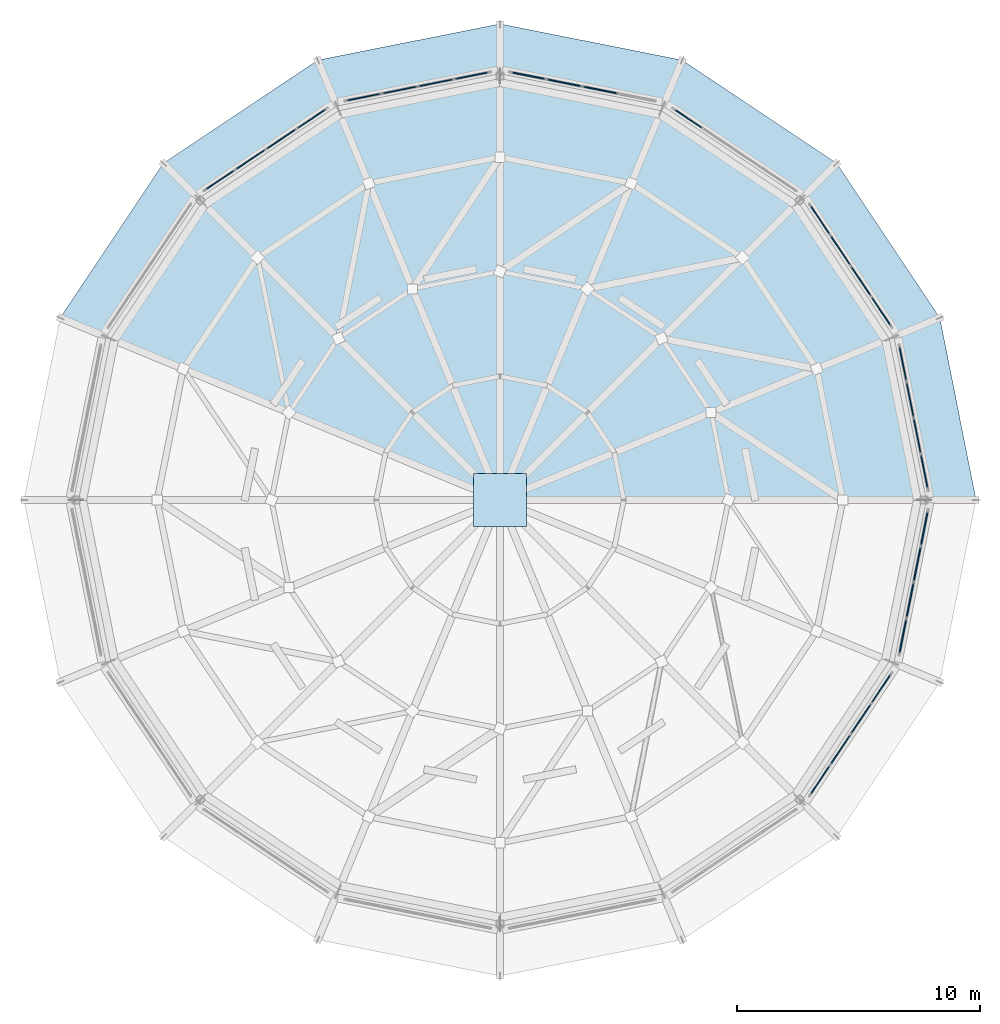
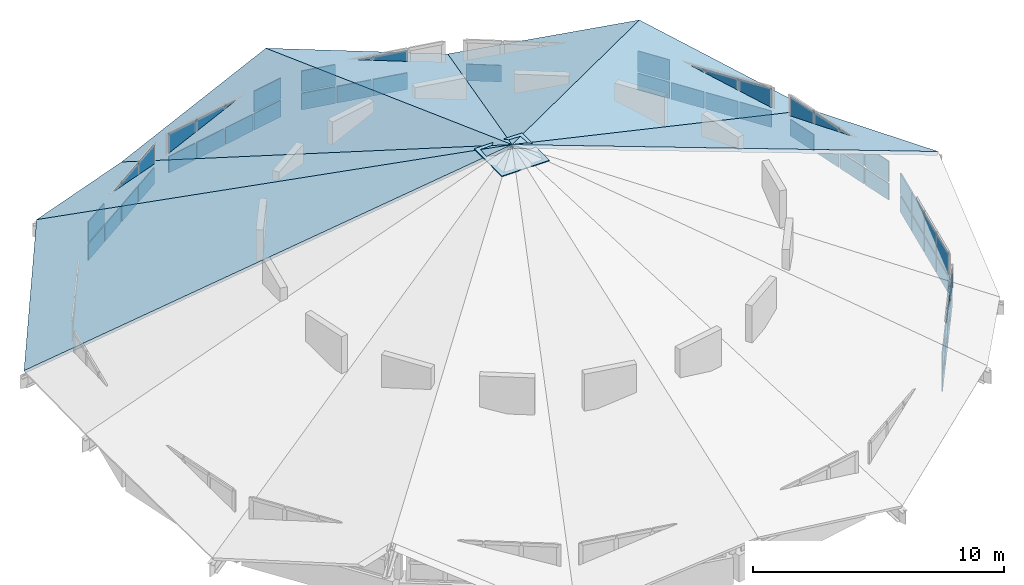
# One storey, part 10 of 18: 56 plates, 7 slabs, 8 elements without a shape of their own.
"""IFC4 building model written with IfcOpenShell, lengths in metres."""

from ifc_helpers import new_model, si_unit, direction, frame, origin, origin_2d, place, context, subcontext, project, spatial, polyline, rectangle, outline, extrude, material, layer, layer_set, type_object, element, aggregate, save


model = new_model("IFC4")

# Units and contexts
model_context = context("Model", 3, precision=1e-05, world=origin(), true_north=direction((0.0, 1.0)))
body_context = subcontext(model_context, "Body", "Model", "MODEL_VIEW")
ifc_project = project(units=[si_unit("LENGTHUNIT", "METRE"), si_unit("AREAUNIT", "SQUARE_METRE"), si_unit("VOLUMEUNIT", "CUBIC_METRE"), si_unit("PLANEANGLEUNIT", "RADIAN"), si_unit("MASSUNIT", "GRAM", prefix="KILO")], contexts=[model_context])

# Site, building, storey
site_placement = place(None, origin())
site = spatial("IfcSite", under=ifc_project, at=site_placement, CompositionType="ELEMENT")
building_placement = place(site_placement, origin())
building = spatial("IfcBuilding", under=site, at=building_placement, Name="Soyqirgoq Riverine Aquarium", CompositionType="ELEMENT")
storey_placement = place(building_placement, frame((0.0, 0.0, 29.39990234375)))
storey = spatial("IfcBuildingStorey", under=building, at=storey_placement, Name="RF", CompositionType="ELEMENT", Elevation=29.39990234375)

# Curtain wall, plates
ifc_material_1 = material(Name="Anodised aluminium acoustic solar-control clerestory glazing", Category="aluminium")
curtain_wall_type = type_object("IfcCurtainWallType", Name="CW_Clerestory_Ring", PredefinedType="NOTDEFINED", material=ifc_material_1)
curtain_wall_1_placement = place(storey_placement, origin())
curtain_wall_1 = element("IfcCurtainWall", 1, at=curtain_wall_1_placement, inside=storey, type_object=curtain_wall_type, Name="V1 RF Curtain Wall 007", PredefinedType="NOTDEFINED")
ifc_material_2 = material(Name="Triple insulated laminated low-E glass", Category="glass")
ifc_layer_1 = layer(ifc_material_2, 0.0458984375)
ifc_layer_set_1 = layer_set([ifc_layer_1], Name="Triple insulated laminated low-E glass")
plate_type_1 = type_object("IfcPlateType", Name="CWGlazedPanel_46", PredefinedType="CURTAIN_PANEL", material=ifc_layer_set_1)
plate_1_placement = place(storey_placement, frame((73.467041015625, 58.171630859375, 0.05517578125), z_axis=(0.0, 0.0, 1.0), x_axis=(-0.19509525167, 0.980784299821, 0.0)))
plate_1 = element("IfcPlate", 2, at=plate_1_placement, type_object=plate_type_1, Name="CW-02 panel 1.1", PredefinedType="CURTAIN_PANEL", context=body_context, shape_type="SweptSolid", body=[
    extrude(rectangle(XDim=1.4189453125, YDim=0.0458984375, at=origin_2d()), origin(), (0.0, 0.0, 1.0), 0.805419921875),
])
plate_2_placement = place(storey_placement, frame((73.467041015625, 58.171630859375, 0.935546875), z_axis=(0.0, 0.0, 1.0), x_axis=(-0.19509525167, 0.980784299821, 0.0)))
plate_2 = element("IfcPlate", 3, at=plate_2_placement, type_object=plate_type_1, Name="CW-02 panel 1.2", PredefinedType="CURTAIN_PANEL", context=body_context, shape_type="SweptSolid", body=[
    extrude(rectangle(XDim=1.4189453125, YDim=0.0458984375, at=origin_2d()), origin(), (0.0, 0.0, 1.0), 1.009521484375),
])
plate_3_placement = place(storey_placement, frame((73.17431640625, 59.64306640625, 0.05517578125), z_axis=(0.0, 0.0, 1.0), x_axis=(-0.19509525167, 0.980784299821, 0.0)))
plate_3 = element("IfcPlate", 4, at=plate_3_placement, type_object=plate_type_1, Name="CW-02 panel 2.1", PredefinedType="CURTAIN_PANEL", context=body_context, shape_type="SweptSolid", body=[
    extrude(rectangle(XDim=1.45166015625, YDim=0.0458984375, at=origin_2d()), origin(), (0.0, 0.0, 1.0), 0.805419921875),
])
plate_4_placement = place(storey_placement, frame((73.17431640625, 59.64306640625, 0.935546875), z_axis=(0.0, 0.0, 1.0), x_axis=(-0.19509525167, 0.980784299821, 0.0)))
plate_4 = element("IfcPlate", 5, at=plate_4_placement, type_object=plate_type_1, Name="CW-02 panel 2.2", PredefinedType="CURTAIN_PANEL", context=body_context, shape_type="SweptSolid", body=[
    extrude(rectangle(XDim=1.45166015625, YDim=0.0458984375, at=origin_2d()), origin(), (0.0, 0.0, 1.0), 1.009521484375),
])
plate_5_placement = place(storey_placement, frame((72.87841796875, 61.13037109375, 0.05517578125), z_axis=(0.0, 0.0, 1.0), x_axis=(-0.19509525167, 0.980784299821, 0.0)))
plate_5 = element("IfcPlate", 6, at=plate_5_placement, type_object=plate_type_1, Name="CW-02 panel 3.1", PredefinedType="CURTAIN_PANEL", context=body_context, shape_type="SweptSolid", body=[
    extrude(rectangle(XDim=1.45166015625, YDim=0.0458984375, at=origin_2d()), origin(), (0.0, 0.0, 1.0), 0.805419921875),
])
plate_6_placement = place(storey_placement, frame((72.87841796875, 61.13037109375, 0.935546875), z_axis=(0.0, 0.0, 1.0), x_axis=(-0.19509525167, 0.980784299821, 0.0)))
plate_6 = element("IfcPlate", 7, at=plate_6_placement, type_object=plate_type_1, Name="CW-02 panel 3.2", PredefinedType="CURTAIN_PANEL", context=body_context, shape_type="SweptSolid", body=[
    extrude(rectangle(XDim=1.45166015625, YDim=0.0458984375, at=origin_2d()), origin(), (0.0, 0.0, 1.0), 1.009521484375),
])
plate_7_placement = place(storey_placement, frame((72.585693359375, 62.60205078125, 0.05517578125), z_axis=(0.0, 0.0, 1.0), x_axis=(-0.19509525167, 0.980784299821, 0.0)))
plate_7 = element("IfcPlate", 8, at=plate_7_placement, type_object=plate_type_1, Name="CW-02 panel 4.1", PredefinedType="CURTAIN_PANEL", context=body_context, shape_type="SweptSolid", body=[
    extrude(rectangle(XDim=1.4189453125, YDim=0.0458984375, at=origin_2d()), origin(), (0.0, 0.0, 1.0), 0.805419921875),
])
plate_8_placement = place(storey_placement, frame((72.585693359375, 62.60205078125, 0.935546875), z_axis=(0.0, 0.0, 1.0), x_axis=(-0.19509525167, 0.980784299821, 0.0)))
plate_8 = element("IfcPlate", 9, at=plate_8_placement, type_object=plate_type_1, Name="CW-02 panel 4.2", PredefinedType="CURTAIN_PANEL", context=body_context, shape_type="SweptSolid", body=[
    extrude(rectangle(XDim=1.4189453125, YDim=0.0458984375, at=origin_2d()), origin(), (0.0, 0.0, 1.0), 1.009521484375),
])
aggregate(curtain_wall_1, [plate_1, plate_2, plate_3, plate_4, plate_5, plate_6, plate_7, plate_8])

curtain_wall_2_placement = place(storey_placement, origin())
curtain_wall_2 = element("IfcCurtainWall", 10, at=curtain_wall_2_placement, inside=storey, type_object=curtain_wall_type, Name="V1 RF Curtain Wall 009", PredefinedType="NOTDEFINED")
plate_9_placement = place(storey_placement, frame((71.68896484375, 64.7666015625, 0.05517578125), z_axis=(0.0, 0.0, 1.0), x_axis=(-0.555578639957, 0.831463994905, 0.0)))
plate_9 = element("IfcPlate", 11, at=plate_9_placement, type_object=plate_type_1, Name="CW-02 panel 1.1", PredefinedType="CURTAIN_PANEL", context=body_context, shape_type="SweptSolid", body=[
    extrude(rectangle(XDim=1.419189453125, YDim=0.0458984375, at=origin_2d()), origin(), (0.0, 0.0, 1.0), 0.805419921875),
])
plate_10_placement = place(storey_placement, frame((71.68896484375, 64.7666015625, 0.935546875), z_axis=(0.0, 0.0, 1.0), x_axis=(-0.555578639957, 0.831463994905, 0.0)))
plate_10 = element("IfcPlate", 12, at=plate_10_placement, type_object=plate_type_1, Name="CW-02 panel 1.2", PredefinedType="CURTAIN_PANEL", context=body_context, shape_type="SweptSolid", body=[
    extrude(rectangle(XDim=1.419189453125, YDim=0.0458984375, at=origin_2d()), origin(), (0.0, 0.0, 1.0), 1.009521484375),
])
plate_11_placement = place(storey_placement, frame((70.85546875, 66.01416015625, 0.05517578125), z_axis=(0.0, 0.0, 1.0), x_axis=(-0.555578639957, 0.831463994905, 0.0)))
plate_11 = element("IfcPlate", 13, at=plate_11_placement, type_object=plate_type_1, Name="CW-02 panel 2.1", PredefinedType="CURTAIN_PANEL", context=body_context, shape_type="SweptSolid", body=[
    extrude(rectangle(XDim=1.45166015625, YDim=0.0458984375, at=origin_2d()), origin(), (0.0, 0.0, 1.0), 0.805419921875),
])
plate_12_placement = place(storey_placement, frame((70.85546875, 66.01416015625, 0.935546875), z_axis=(0.0, 0.0, 1.0), x_axis=(-0.555578639957, 0.831463994905, 0.0)))
plate_12 = element("IfcPlate", 14, at=plate_12_placement, type_object=plate_type_1, Name="CW-02 panel 2.2", PredefinedType="CURTAIN_PANEL", context=body_context, shape_type="SweptSolid", body=[
    extrude(rectangle(XDim=1.45166015625, YDim=0.0458984375, at=origin_2d()), origin(), (0.0, 0.0, 1.0), 1.009521484375),
])
plate_13_placement = place(storey_placement, frame((70.012939453125, 67.275146484375, 0.05517578125), z_axis=(0.0, 0.0, 1.0), x_axis=(-0.555578639957, 0.831463994905, 0.0)))
plate_13 = element("IfcPlate", 15, at=plate_13_placement, type_object=plate_type_1, Name="CW-02 panel 3.1", PredefinedType="CURTAIN_PANEL", context=body_context, shape_type="SweptSolid", body=[
    extrude(rectangle(XDim=1.45166015625, YDim=0.0458984375, at=origin_2d()), origin(), (0.0, 0.0, 1.0), 0.805419921875),
])
plate_14_placement = place(storey_placement, frame((70.012939453125, 67.275146484375, 0.935546875), z_axis=(0.0, 0.0, 1.0), x_axis=(-0.555578639957, 0.831463994905, 0.0)))
plate_14 = element("IfcPlate", 16, at=plate_14_placement, type_object=plate_type_1, Name="CW-02 panel 3.2", PredefinedType="CURTAIN_PANEL", context=body_context, shape_type="SweptSolid", body=[
    extrude(rectangle(XDim=1.45166015625, YDim=0.0458984375, at=origin_2d()), origin(), (0.0, 0.0, 1.0), 1.009521484375),
])
plate_15_placement = place(storey_placement, frame((69.179443359375, 68.522705078125, 0.05517578125), z_axis=(0.0, 0.0, 1.0), x_axis=(-0.555578639957, 0.831463994905, 0.0)))
plate_15 = element("IfcPlate", 17, at=plate_15_placement, type_object=plate_type_1, Name="CW-02 panel 4.1", PredefinedType="CURTAIN_PANEL", context=body_context, shape_type="SweptSolid", body=[
    extrude(rectangle(XDim=1.419189453125, YDim=0.0458984375, at=origin_2d()), origin(), (0.0, 0.0, 1.0), 0.805419921875),
])
plate_16_placement = place(storey_placement, frame((69.179443359375, 68.522705078125, 0.935546875), z_axis=(0.0, 0.0, 1.0), x_axis=(-0.555578639957, 0.831463994905, 0.0)))
plate_16 = element("IfcPlate", 18, at=plate_16_placement, type_object=plate_type_1, Name="CW-02 panel 4.2", PredefinedType="CURTAIN_PANEL", context=body_context, shape_type="SweptSolid", body=[
    extrude(rectangle(XDim=1.419189453125, YDim=0.0458984375, at=origin_2d()), origin(), (0.0, 0.0, 1.0), 1.009521484375),
])
aggregate(curtain_wall_2, [plate_9, plate_10, plate_11, plate_12, plate_13, plate_14, plate_15, plate_16])

# Curtain wall, plate
curtain_wall_3_placement = place(storey_placement, origin())
curtain_wall_3 = element("IfcCurtainWall", 19, at=curtain_wall_3_placement, inside=storey, type_object=curtain_wall_type, Name="V1 RF Curtain Wall 011", PredefinedType="NOTDEFINED")
plate_17_placement = place(storey_placement, frame((63.7666015625, 72.68896484375, 0.05517578125), z_axis=(0.0, 0.0, 1.0), x_axis=(-0.831463994905, 0.555578639957, 0.0)))
plate_17 = element("IfcPlate", 20, at=plate_17_placement, type_object=plate_type_1, Name="CW-02 panel 4.1", PredefinedType="CURTAIN_PANEL", context=body_context, shape_type="SweptSolid", body=[
    extrude(rectangle(XDim=1.419189453125, YDim=0.0458984375, at=origin_2d()), origin(), (0.0, 0.0, 1.0), 0.805419921875),
])
aggregate(curtain_wall_3, [plate_17])

# Curtain wall, plates
curtain_wall_4_placement = place(storey_placement, origin())
curtain_wall_4 = element("IfcCurtainWall", 21, at=curtain_wall_4_placement, inside=storey, type_object=curtain_wall_type, Name="V1 RF Curtain Wall 020", PredefinedType="NOTDEFINED")
plate_18_placement = place(storey_placement, frame((54.828369140625, 74.467041015625, 0.05517578125), z_axis=(0.0, 0.0, 1.0), x_axis=(-0.980784299821, -0.19509525167, 0.0)))
plate_18 = element("IfcPlate", 22, at=plate_18_placement, type_object=plate_type_1, Name="CW-02 panel 1.1", PredefinedType="CURTAIN_PANEL", context=body_context, shape_type="SweptSolid", body=[
    extrude(rectangle(XDim=1.4189453125, YDim=0.0458984375, at=origin_2d()), origin(), (0.0, 0.0, 1.0), 0.805419921875),
])
plate_19_placement = place(storey_placement, frame((54.828369140625, 74.467041015625, 0.935546875), z_axis=(0.0, 0.0, 1.0), x_axis=(-0.980784299821, -0.19509525167, 0.0)))
plate_19 = element("IfcPlate", 23, at=plate_19_placement, type_object=plate_type_1, Name="CW-02 panel 1.2", PredefinedType="CURTAIN_PANEL", context=body_context, shape_type="SweptSolid", body=[
    extrude(rectangle(XDim=1.4189453125, YDim=0.0458984375, at=origin_2d()), origin(), (0.0, 0.0, 1.0), 1.009521484375),
])
plate_20_placement = place(storey_placement, frame((53.35693359375, 74.17431640625, 0.05517578125), z_axis=(0.0, 0.0, 1.0), x_axis=(-0.980784299821, -0.19509525167, 0.0)))
plate_20 = element("IfcPlate", 24, at=plate_20_placement, type_object=plate_type_1, Name="CW-02 panel 2.1", PredefinedType="CURTAIN_PANEL", context=body_context, shape_type="SweptSolid", body=[
    extrude(rectangle(XDim=1.45166015625, YDim=0.0458984375, at=origin_2d()), origin(), (0.0, 0.0, 1.0), 0.805419921875),
])
plate_21_placement = place(storey_placement, frame((53.35693359375, 74.17431640625, 0.935546875), z_axis=(0.0, 0.0, 1.0), x_axis=(-0.980784299821, -0.19509525167, 0.0)))
plate_21 = element("IfcPlate", 25, at=plate_21_placement, type_object=plate_type_1, Name="CW-02 panel 2.2", PredefinedType="CURTAIN_PANEL", context=body_context, shape_type="SweptSolid", body=[
    extrude(rectangle(XDim=1.45166015625, YDim=0.0458984375, at=origin_2d()), origin(), (0.0, 0.0, 1.0), 1.009521484375),
])
plate_22_placement = place(storey_placement, frame((51.86962890625, 73.87841796875, 0.05517578125), z_axis=(0.0, 0.0, 1.0), x_axis=(-0.980784299821, -0.19509525167, 0.0)))
plate_22 = element("IfcPlate", 26, at=plate_22_placement, type_object=plate_type_1, Name="CW-02 panel 3.1", PredefinedType="CURTAIN_PANEL", context=body_context, shape_type="SweptSolid", body=[
    extrude(rectangle(XDim=1.45166015625, YDim=0.0458984375, at=origin_2d()), origin(), (0.0, 0.0, 1.0), 0.805419921875),
])
plate_23_placement = place(storey_placement, frame((51.86962890625, 73.87841796875, 0.935546875), z_axis=(0.0, 0.0, 1.0), x_axis=(-0.980784299821, -0.19509525167, 0.0)))
plate_23 = element("IfcPlate", 27, at=plate_23_placement, type_object=plate_type_1, Name="CW-02 panel 3.2", PredefinedType="CURTAIN_PANEL", context=body_context, shape_type="SweptSolid", body=[
    extrude(rectangle(XDim=1.45166015625, YDim=0.0458984375, at=origin_2d()), origin(), (0.0, 0.0, 1.0), 1.009521484375),
])
plate_24_placement = place(storey_placement, frame((50.39794921875, 73.585693359375, 0.05517578125), z_axis=(0.0, 0.0, 1.0), x_axis=(-0.980784299821, -0.19509525167, 0.0)))
plate_24 = element("IfcPlate", 28, at=plate_24_placement, type_object=plate_type_1, Name="CW-02 panel 4.1", PredefinedType="CURTAIN_PANEL", context=body_context, shape_type="SweptSolid", body=[
    extrude(rectangle(XDim=1.4189453125, YDim=0.0458984375, at=origin_2d()), origin(), (0.0, 0.0, 1.0), 0.805419921875),
])
plate_25_placement = place(storey_placement, frame((50.39794921875, 73.585693359375, 0.935546875), z_axis=(0.0, 0.0, 1.0), x_axis=(-0.980784299821, -0.19509525167, 0.0)))
plate_25 = element("IfcPlate", 29, at=plate_25_placement, type_object=plate_type_1, Name="CW-02 panel 4.2", PredefinedType="CURTAIN_PANEL", context=body_context, shape_type="SweptSolid", body=[
    extrude(rectangle(XDim=1.4189453125, YDim=0.0458984375, at=origin_2d()), origin(), (0.0, 0.0, 1.0), 1.009521484375),
])
aggregate(curtain_wall_4, [plate_18, plate_19, plate_20, plate_21, plate_22, plate_23, plate_24, plate_25])

curtain_wall_5_placement = place(storey_placement, origin())
curtain_wall_5 = element("IfcCurtainWall", 30, at=curtain_wall_5_placement, inside=storey, type_object=curtain_wall_type, Name="V1 RF Curtain Wall 022", PredefinedType="NOTDEFINED")
plate_26_placement = place(storey_placement, frame((48.2333984375, 72.68896484375, 0.05517578125), z_axis=(0.0, 0.0, 1.0), x_axis=(-0.831463994905, -0.555578639957, 0.0)))
plate_26 = element("IfcPlate", 31, at=plate_26_placement, type_object=plate_type_1, Name="CW-02 panel 1.1", PredefinedType="CURTAIN_PANEL", context=body_context, shape_type="SweptSolid", body=[
    extrude(rectangle(XDim=1.419189453125, YDim=0.0458984375, at=origin_2d()), origin(), (0.0, 0.0, 1.0), 0.805419921875),
])
plate_27_placement = place(storey_placement, frame((48.2333984375, 72.68896484375, 0.935546875), z_axis=(0.0, 0.0, 1.0), x_axis=(-0.831463994905, -0.555578639957, 0.0)))
plate_27 = element("IfcPlate", 32, at=plate_27_placement, type_object=plate_type_1, Name="CW-02 panel 1.2", PredefinedType="CURTAIN_PANEL", context=body_context, shape_type="SweptSolid", body=[
    extrude(rectangle(XDim=1.419189453125, YDim=0.0458984375, at=origin_2d()), origin(), (0.0, 0.0, 1.0), 1.009521484375),
])
plate_28_placement = place(storey_placement, frame((46.98583984375, 71.85546875, 0.05517578125), z_axis=(0.0, 0.0, 1.0), x_axis=(-0.831463994905, -0.555578639957, 0.0)))
plate_28 = element("IfcPlate", 33, at=plate_28_placement, type_object=plate_type_1, Name="CW-02 panel 2.1", PredefinedType="CURTAIN_PANEL", context=body_context, shape_type="SweptSolid", body=[
    extrude(rectangle(XDim=1.45166015625, YDim=0.0458984375, at=origin_2d()), origin(), (0.0, 0.0, 1.0), 0.805419921875),
])
plate_29_placement = place(storey_placement, frame((46.98583984375, 71.85546875, 0.935546875), z_axis=(0.0, 0.0, 1.0), x_axis=(-0.831463994905, -0.555578639957, 0.0)))
plate_29 = element("IfcPlate", 34, at=plate_29_placement, type_object=plate_type_1, Name="CW-02 panel 2.2", PredefinedType="CURTAIN_PANEL", context=body_context, shape_type="SweptSolid", body=[
    extrude(rectangle(XDim=1.45166015625, YDim=0.0458984375, at=origin_2d()), origin(), (0.0, 0.0, 1.0), 1.009521484375),
])
plate_30_placement = place(storey_placement, frame((45.724853515625, 71.012939453125, 0.05517578125), z_axis=(0.0, 0.0, 1.0), x_axis=(-0.831463994905, -0.555578639957, 0.0)))
plate_30 = element("IfcPlate", 35, at=plate_30_placement, type_object=plate_type_1, Name="CW-02 panel 3.1", PredefinedType="CURTAIN_PANEL", context=body_context, shape_type="SweptSolid", body=[
    extrude(rectangle(XDim=1.45166015625, YDim=0.0458984375, at=origin_2d()), origin(), (0.0, 0.0, 1.0), 0.805419921875),
])
plate_31_placement = place(storey_placement, frame((45.724853515625, 71.012939453125, 0.935546875), z_axis=(0.0, 0.0, 1.0), x_axis=(-0.831463994905, -0.555578639957, 0.0)))
plate_31 = element("IfcPlate", 36, at=plate_31_placement, type_object=plate_type_1, Name="CW-02 panel 3.2", PredefinedType="CURTAIN_PANEL", context=body_context, shape_type="SweptSolid", body=[
    extrude(rectangle(XDim=1.45166015625, YDim=0.0458984375, at=origin_2d()), origin(), (0.0, 0.0, 1.0), 1.009521484375),
])
plate_32_placement = place(storey_placement, frame((44.477294921875, 70.179443359375, 0.05517578125), z_axis=(0.0, 0.0, 1.0), x_axis=(-0.831463994905, -0.555578639957, 0.0)))
plate_32 = element("IfcPlate", 37, at=plate_32_placement, type_object=plate_type_1, Name="CW-02 panel 4.1", PredefinedType="CURTAIN_PANEL", context=body_context, shape_type="SweptSolid", body=[
    extrude(rectangle(XDim=1.419189453125, YDim=0.0458984375, at=origin_2d()), origin(), (0.0, 0.0, 1.0), 0.805419921875),
])
plate_33_placement = place(storey_placement, frame((44.477294921875, 70.179443359375, 0.935546875), z_axis=(0.0, 0.0, 1.0), x_axis=(-0.831463994905, -0.555578639957, 0.0)))
plate_33 = element("IfcPlate", 38, at=plate_33_placement, type_object=plate_type_1, Name="CW-02 panel 4.2", PredefinedType="CURTAIN_PANEL", context=body_context, shape_type="SweptSolid", body=[
    extrude(rectangle(XDim=1.419189453125, YDim=0.0458984375, at=origin_2d()), origin(), (0.0, 0.0, 1.0), 1.009521484375),
])
aggregate(curtain_wall_5, [plate_26, plate_27, plate_28, plate_29, plate_30, plate_31, plate_32, plate_33])

curtain_wall_6_placement = place(storey_placement, origin())
curtain_wall_6 = element("IfcCurtainWall", 39, at=curtain_wall_6_placement, inside=storey, type_object=curtain_wall_type, Name="V1 RF Curtain Wall 071", PredefinedType="NOTDEFINED")
plate_34_placement = place(storey_placement, frame((69.179443359375, 45.477294921875, 0.05517578125), z_axis=(0.0, 0.0, 1.0), x_axis=(0.555578639957, 0.831463994905, 0.0)))
plate_34 = element("IfcPlate", 40, at=plate_34_placement, type_object=plate_type_1, Name="CW-02 panel 1.1", PredefinedType="CURTAIN_PANEL", context=body_context, shape_type="SweptSolid", body=[
    extrude(rectangle(XDim=1.419189453125, YDim=0.0458984375, at=origin_2d()), origin(), (0.0, 0.0, 1.0), 0.805419921875),
])
plate_35_placement = place(storey_placement, frame((69.179443359375, 45.477294921875, 0.935546875), z_axis=(0.0, 0.0, 1.0), x_axis=(0.555578639957, 0.831463994905, 0.0)))
plate_35 = element("IfcPlate", 41, at=plate_35_placement, type_object=plate_type_1, Name="CW-02 panel 1.2", PredefinedType="CURTAIN_PANEL", context=body_context, shape_type="SweptSolid", body=[
    extrude(rectangle(XDim=1.419189453125, YDim=0.0458984375, at=origin_2d()), origin(), (0.0, 0.0, 1.0), 1.009521484375),
])
plate_36_placement = place(storey_placement, frame((70.012939453125, 46.724853515625, 0.05517578125), z_axis=(0.0, 0.0, 1.0), x_axis=(0.555578639957, 0.831463994905, 0.0)))
plate_36 = element("IfcPlate", 42, at=plate_36_placement, type_object=plate_type_1, Name="CW-02 panel 2.1", PredefinedType="CURTAIN_PANEL", context=body_context, shape_type="SweptSolid", body=[
    extrude(rectangle(XDim=1.45166015625, YDim=0.0458984375, at=origin_2d()), origin(), (0.0, 0.0, 1.0), 0.805419921875),
])
plate_37_placement = place(storey_placement, frame((70.012939453125, 46.724853515625, 0.935546875), z_axis=(0.0, 0.0, 1.0), x_axis=(0.555578639957, 0.831463994905, 0.0)))
plate_37 = element("IfcPlate", 43, at=plate_37_placement, type_object=plate_type_1, Name="CW-02 panel 2.2", PredefinedType="CURTAIN_PANEL", context=body_context, shape_type="SweptSolid", body=[
    extrude(rectangle(XDim=1.45166015625, YDim=0.0458984375, at=origin_2d()), origin(), (0.0, 0.0, 1.0), 1.009521484375),
])
plate_38_placement = place(storey_placement, frame((70.85546875, 47.98583984375, 0.05517578125), z_axis=(0.0, 0.0, 1.0), x_axis=(0.555578639957, 0.831463994905, 0.0)))
plate_38 = element("IfcPlate", 44, at=plate_38_placement, type_object=plate_type_1, Name="CW-02 panel 3.1", PredefinedType="CURTAIN_PANEL", context=body_context, shape_type="SweptSolid", body=[
    extrude(rectangle(XDim=1.45166015625, YDim=0.0458984375, at=origin_2d()), origin(), (0.0, 0.0, 1.0), 0.805419921875),
])
plate_39_placement = place(storey_placement, frame((70.85546875, 47.98583984375, 0.935546875), z_axis=(0.0, 0.0, 1.0), x_axis=(0.555578639957, 0.831463994905, 0.0)))
plate_39 = element("IfcPlate", 45, at=plate_39_placement, type_object=plate_type_1, Name="CW-02 panel 3.2", PredefinedType="CURTAIN_PANEL", context=body_context, shape_type="SweptSolid", body=[
    extrude(rectangle(XDim=1.45166015625, YDim=0.0458984375, at=origin_2d()), origin(), (0.0, 0.0, 1.0), 1.009521484375),
])
plate_40_placement = place(storey_placement, frame((71.68896484375, 49.2333984375, 0.05517578125), z_axis=(0.0, 0.0, 1.0), x_axis=(0.555578639957, 0.831463994905, 0.0)))
plate_40 = element("IfcPlate", 46, at=plate_40_placement, type_object=plate_type_1, Name="CW-02 panel 4.1", PredefinedType="CURTAIN_PANEL", context=body_context, shape_type="SweptSolid", body=[
    extrude(rectangle(XDim=1.419189453125, YDim=0.0458984375, at=origin_2d()), origin(), (0.0, 0.0, 1.0), 0.805419921875),
])
plate_41_placement = place(storey_placement, frame((71.68896484375, 49.2333984375, 0.935546875), z_axis=(0.0, 0.0, 1.0), x_axis=(0.555578639957, 0.831463994905, 0.0)))
plate_41 = element("IfcPlate", 47, at=plate_41_placement, type_object=plate_type_1, Name="CW-02 panel 4.2", PredefinedType="CURTAIN_PANEL", context=body_context, shape_type="SweptSolid", body=[
    extrude(rectangle(XDim=1.419189453125, YDim=0.0458984375, at=origin_2d()), origin(), (0.0, 0.0, 1.0), 1.009521484375),
])
aggregate(curtain_wall_6, [plate_34, plate_35, plate_36, plate_37, plate_38, plate_39, plate_40, plate_41])

curtain_wall_7_placement = place(storey_placement, origin())
curtain_wall_7 = element("IfcCurtainWall", 48, at=curtain_wall_7_placement, inside=storey, type_object=curtain_wall_type, Name="V1 RF Curtain Wall 018", PredefinedType="NOTDEFINED")
ifc_material_3 = material(Name="Insulated shadow-box aluminium spandrel panel", Category="aluminium")
ifc_layer_2 = layer(ifc_material_3, 0.06005859375)
ifc_layer_set_2 = layer_set([ifc_layer_2], Name="Insulated shadow-box aluminium spandrel panel")
plate_type_2 = type_object("IfcPlateType", Name="CWSpandrelPanel_60", PredefinedType="CURTAIN_PANEL", material=ifc_layer_set_2)
plate_42_placement = place(storey_placement, frame((60.13037109375, 73.87841796875, 0.05517578125), z_axis=(0.0, 0.0, 1.0), x_axis=(-0.980784299821, 0.19509525167, 0.0)))
plate_42 = element("IfcPlate", 49, at=plate_42_placement, type_object=plate_type_2, Name="CW-02 panel 2.1", PredefinedType="CURTAIN_PANEL", context=body_context, shape_type="SweptSolid", body=[
    extrude(rectangle(XDim=1.45166015625, YDim=0.06005859375, at=origin_2d()), origin(), (0.0, 0.0, 1.0), 0.805419921875),
])
plate_43_placement = place(storey_placement, frame((60.13037109375, 73.87841796875, 0.935546875), z_axis=(0.0, 0.0, 1.0), x_axis=(-0.980784299821, 0.19509525167, 0.0)))
plate_43 = element("IfcPlate", 50, at=plate_43_placement, type_object=plate_type_2, Name="CW-02 panel 2.2", PredefinedType="CURTAIN_PANEL", context=body_context, shape_type="SweptSolid", body=[
    extrude(rectangle(XDim=1.45166015625, YDim=0.06005859375, at=origin_2d()), origin(), (0.0, 0.0, 1.0), 1.009521484375),
])
plate_44_placement = place(storey_placement, frame((58.64306640625, 74.17431640625, 0.05517578125), z_axis=(0.0, 0.0, 1.0), x_axis=(-0.980784299821, 0.19509525167, 0.0)))
plate_44 = element("IfcPlate", 51, at=plate_44_placement, type_object=plate_type_2, Name="CW-02 panel 3.1", PredefinedType="CURTAIN_PANEL", context=body_context, shape_type="SweptSolid", body=[
    extrude(rectangle(XDim=1.45166015625, YDim=0.06005859375, at=origin_2d()), origin(), (0.0, 0.0, 1.0), 0.805419921875),
])
plate_45_placement = place(storey_placement, frame((58.64306640625, 74.17431640625, 0.935546875), z_axis=(0.0, 0.0, 1.0), x_axis=(-0.980784299821, 0.19509525167, 0.0)))
plate_45 = element("IfcPlate", 52, at=plate_45_placement, type_object=plate_type_2, Name="CW-02 panel 3.2", PredefinedType="CURTAIN_PANEL", context=body_context, shape_type="SweptSolid", body=[
    extrude(rectangle(XDim=1.45166015625, YDim=0.06005859375, at=origin_2d()), origin(), (0.0, 0.0, 1.0), 1.009521484375),
])
plate_46_placement = place(storey_placement, frame((57.171630859375, 74.467041015625, 0.05517578125), z_axis=(0.0, 0.0, 1.0), x_axis=(-0.980784299821, 0.19509525167, 0.0)))
plate_46 = element("IfcPlate", 53, at=plate_46_placement, type_object=plate_type_2, Name="CW-02 panel 4.1", PredefinedType="CURTAIN_PANEL", context=body_context, shape_type="SweptSolid", body=[
    extrude(rectangle(XDim=1.4189453125, YDim=0.06005859375, at=origin_2d()), origin(), (0.0, 0.0, 1.0), 0.805419921875),
])
plate_47_placement = place(storey_placement, frame((57.171630859375, 74.467041015625, 0.935546875), z_axis=(0.0, 0.0, 1.0), x_axis=(-0.980784299821, 0.19509525167, 0.0)))
plate_47 = element("IfcPlate", 54, at=plate_47_placement, type_object=plate_type_2, Name="CW-02 panel 4.2", PredefinedType="CURTAIN_PANEL", context=body_context, shape_type="SweptSolid", body=[
    extrude(rectangle(XDim=1.4189453125, YDim=0.06005859375, at=origin_2d()), origin(), (0.0, 0.0, 1.0), 1.009521484375),
])
aggregate(curtain_wall_7, [plate_42, plate_43, plate_44, plate_45, plate_46, plate_47])

curtain_wall_8_placement = place(storey_placement, origin())
curtain_wall_8 = element("IfcCurtainWall", 55, at=curtain_wall_8_placement, inside=storey, type_object=curtain_wall_type, Name="V1 RF Curtain Wall 078", PredefinedType="NOTDEFINED")
plate_48_placement = place(storey_placement, frame((72.585693359375, 51.39794921875, 0.05517578125), z_axis=(0.0, 0.0, 1.0), x_axis=(0.19509525167, 0.980784299821, 0.0)))
plate_48 = element("IfcPlate", 56, at=plate_48_placement, type_object=plate_type_2, Name="CW-02 panel 1.1", PredefinedType="CURTAIN_PANEL", context=body_context, shape_type="SweptSolid", body=[
    extrude(rectangle(XDim=1.4189453125, YDim=0.06005859375, at=origin_2d()), origin(), (0.0, 0.0, 1.0), 0.805419921875),
])
plate_49_placement = place(storey_placement, frame((72.585693359375, 51.39794921875, 0.935546875), z_axis=(0.0, 0.0, 1.0), x_axis=(0.19509525167, 0.980784299821, 0.0)))
plate_49 = element("IfcPlate", 57, at=plate_49_placement, type_object=plate_type_2, Name="CW-02 panel 1.2", PredefinedType="CURTAIN_PANEL", context=body_context, shape_type="SweptSolid", body=[
    extrude(rectangle(XDim=1.4189453125, YDim=0.06005859375, at=origin_2d()), origin(), (0.0, 0.0, 1.0), 1.009521484375),
])
plate_50_placement = place(storey_placement, frame((72.87841796875, 52.86962890625, 0.05517578125), z_axis=(0.0, 0.0, 1.0), x_axis=(0.19509525167, 0.980784299821, 0.0)))
plate_50 = element("IfcPlate", 58, at=plate_50_placement, type_object=plate_type_2, Name="CW-02 panel 2.1", PredefinedType="CURTAIN_PANEL", context=body_context, shape_type="SweptSolid", body=[
    extrude(rectangle(XDim=1.45166015625, YDim=0.06005859375, at=origin_2d()), origin(), (0.0, 0.0, 1.0), 0.805419921875),
])
plate_51_placement = place(storey_placement, frame((72.87841796875, 52.86962890625, 0.935546875), z_axis=(0.0, 0.0, 1.0), x_axis=(0.19509525167, 0.980784299821, 0.0)))
plate_51 = element("IfcPlate", 59, at=plate_51_placement, type_object=plate_type_2, Name="CW-02 panel 2.2", PredefinedType="CURTAIN_PANEL", context=body_context, shape_type="SweptSolid", body=[
    extrude(rectangle(XDim=1.45166015625, YDim=0.06005859375, at=origin_2d()), origin(), (0.0, 0.0, 1.0), 1.009521484375),
])
plate_52_placement = place(storey_placement, frame((73.17431640625, 54.35693359375, 0.05517578125), z_axis=(0.0, 0.0, 1.0), x_axis=(0.19509525167, 0.980784299821, 0.0)))
plate_52 = element("IfcPlate", 60, at=plate_52_placement, type_object=plate_type_2, Name="CW-02 panel 3.1", PredefinedType="CURTAIN_PANEL", context=body_context, shape_type="SweptSolid", body=[
    extrude(rectangle(XDim=1.45166015625, YDim=0.06005859375, at=origin_2d()), origin(), (0.0, 0.0, 1.0), 0.805419921875),
])
plate_53_placement = place(storey_placement, frame((73.17431640625, 54.35693359375, 0.935546875), z_axis=(0.0, 0.0, 1.0), x_axis=(0.19509525167, 0.980784299821, 0.0)))
plate_53 = element("IfcPlate", 61, at=plate_53_placement, type_object=plate_type_2, Name="CW-02 panel 3.2", PredefinedType="CURTAIN_PANEL", context=body_context, shape_type="SweptSolid", body=[
    extrude(rectangle(XDim=1.45166015625, YDim=0.06005859375, at=origin_2d()), origin(), (0.0, 0.0, 1.0), 1.009521484375),
])
plate_54_placement = place(storey_placement, frame((73.467041015625, 55.828369140625, 0.05517578125), z_axis=(0.0, 0.0, 1.0), x_axis=(0.19509525167, 0.980784299821, 0.0)))
plate_54 = element("IfcPlate", 62, at=plate_54_placement, type_object=plate_type_2, Name="CW-02 panel 4.1", PredefinedType="CURTAIN_PANEL", context=body_context, shape_type="SweptSolid", body=[
    extrude(rectangle(XDim=1.4189453125, YDim=0.06005859375, at=origin_2d()), origin(), (0.0, 0.0, 1.0), 0.805419921875),
])
plate_55_placement = place(storey_placement, frame((73.467041015625, 55.828369140625, 0.935546875), z_axis=(0.0, 0.0, 1.0), x_axis=(0.19509525167, 0.980784299821, 0.0)))
plate_55 = element("IfcPlate", 63, at=plate_55_placement, type_object=plate_type_2, Name="CW-02 panel 4.2", PredefinedType="CURTAIN_PANEL", context=body_context, shape_type="SweptSolid", body=[
    extrude(rectangle(XDim=1.4189453125, YDim=0.06005859375, at=origin_2d()), origin(), (0.0, 0.0, 1.0), 1.009521484375),
])
aggregate(curtain_wall_8, [plate_48, plate_49, plate_50, plate_51, plate_52, plate_53, plate_54, plate_55])

# Slabs
ifc_material_4 = material(Name="Lightweight concrete LC35/38", Category="concrete")
ifc_layer_3 = layer(ifc_material_4, 0.159912109375)
ifc_layer_set_3 = layer_set([ifc_layer_3], Name="Lightweight concrete LC35/38")
slab_type_1 = type_object("IfcSlabType", Name="FoldedRoof_160_LC35", PredefinedType="ROOF", material=ifc_layer_set_3)
slab_1_placement = place(storey_placement, frame((56.0, 57.0, 9.2001953125), z_axis=(0.328523985646, 0.303821602147, 0.894295490833), x_axis=(0.938667288056, 0.0, -0.34482419047)))
element("IfcSlab", 64, at=slab_1_placement, inside=storey, type_object=slab_type_1, Name="V1 Radial Folded-Plate Roof Facet 01", PredefinedType="ROOF", context=body_context, shape_type="SweptSolid", body=[
    extrude(outline(polyline([(0.0, 0.0), (20.88077203248682, 0.0), (20.169752819531627, 7.872636132270651), (0.0, 0.0)])), origin(), (0.0, 0.0, -1.0), 0.159912109375),
])
slab_2_placement = place(storey_placement, frame((56.0, 57.0, 9.2001953125), z_axis=(0.017467935053, 0.447134935243, 0.894295935879), x_axis=(0.663738078891, 0.663738078891, -0.344823904711)))
element("IfcSlab", 65, at=slab_2_placement, inside=storey, type_object=slab_type_1, Name="V1 Radial Folded-Plate Roof Facet 03", PredefinedType="ROOF", context=body_context, shape_type="SweptSolid", body=[
    extrude(outline(polyline([(0.0, 0.0), (20.88078933659829, 8.881784197001252e-16), (20.16971645414268, 7.872729300034623), (0.0, 0.0)])), origin(), (0.0, 0.0, -1.0), 0.159912109375),
])
slab_3_placement = place(storey_placement, frame((56.0, 57.0, 9.2001953125), z_axis=(-0.303821602147, 0.328523985646, 0.894295490833), x_axis=(0.0, 0.938667288056, -0.34482419047)))
element("IfcSlab", 66, at=slab_3_placement, inside=storey, type_object=slab_type_1, Name="V1 Radial Folded-Plate Roof Facet 05", PredefinedType="ROOF", context=body_context, shape_type="SweptSolid", body=[
    extrude(outline(polyline([(0.0, 0.0), (20.88077203248682, 0.0), (20.169752819531627, 7.872636132270651), (0.0, 0.0)])), origin(), (0.0, 0.0, -1.0), 0.159912109375),
])
slab_4_placement = place(storey_placement, frame((56.0, 57.0, 9.2001953125), z_axis=(-0.447134935243, 0.017467935053, 0.894295935879), x_axis=(-0.663738078891, 0.663738078891, -0.344823904711)))
element("IfcSlab", 67, at=slab_4_placement, inside=storey, type_object=slab_type_1, Name="V1 Radial Folded-Plate Roof Facet 07", PredefinedType="ROOF", context=body_context, shape_type="SweptSolid", body=[
    extrude(outline(polyline([(0.0, 0.0), (20.88078933659829, 8.881784197001252e-16), (20.16971645414268, 7.872729300034623), (0.0, 0.0)])), origin(), (0.0, 0.0, -1.0), 0.159912109375),
])
ifc_material_5 = material(Name="Lightweight concrete LC35/38", Category="concrete")
ifc_layer_4 = layer(ifc_material_5, 0.179931640625)
ifc_layer_set_4 = layer_set([ifc_layer_4], Name="Lightweight concrete LC35/38")
slab_type_2 = type_object("IfcSlabType", Name="FoldedRoof_180_LC35", PredefinedType="ROOF", material=ifc_layer_set_4)
slab_5_placement = place(storey_placement, frame((56.0, 57.0, 9.2001953125), z_axis=(0.447134935243, 0.017467935053, 0.894295935879), x_axis=(0.836326324469, 0.346415226376, -0.42491736836)))
element("IfcSlab", 68, at=slab_5_placement, inside=storey, type_object=slab_type_2, Name="V1 Radial Folded-Plate Roof Facet 02", PredefinedType="ROOF", context=body_context, shape_type="SweptSolid", body=[
    extrude(outline(polyline([(0.0, 0.0), (21.651728071268064, -2.220446049250313e-16), (19.451546725120483, 7.592410244438296), (0.0, 0.0)])), origin(), (0.0, 0.0, -1.0), 0.179931640625),
])
slab_6_placement = place(storey_placement, frame((56.0, 57.0, 9.2001953125), z_axis=(0.303821602147, 0.328523985646, 0.894295490833), x_axis=(0.346415226376, 0.836326324469, -0.42491736836)))
element("IfcSlab", 69, at=slab_6_placement, inside=storey, type_object=slab_type_2, Name="V1 Radial Folded-Plate Roof Facet 04", PredefinedType="ROOF", context=body_context, shape_type="SweptSolid", body=[
    extrude(outline(polyline([(0.0, 0.0), (21.651728071268064, -2.220446049250313e-16), (19.451565675957724, 7.59231410220804), (0.0, 0.0)])), origin(), (0.0, 0.0, -1.0), 0.179931640625),
])
slab_7_placement = place(storey_placement, frame((56.0, 57.0, 9.2001953125), z_axis=(-0.017467935053, 0.447134935243, 0.894295935879), x_axis=(-0.346415226376, 0.836326324469, -0.42491736836)))
element("IfcSlab", 70, at=slab_7_placement, inside=storey, type_object=slab_type_2, Name="V1 Radial Folded-Plate Roof Facet 06", PredefinedType="ROOF", context=body_context, shape_type="SweptSolid", body=[
    extrude(outline(polyline([(0.0, 0.0), (21.651728071268064, -2.220446049250313e-16), (19.451546725120483, 7.592410244438296), (0.0, 0.0)])), origin(), (0.0, 0.0, -1.0), 0.179931640625),
])

# Plate
ifc_material_6 = material(Name="Structural steel S355", Category="steel")
ifc_layer_5 = layer(ifc_material_6, 0.0400390625)
ifc_layer_set_5 = layer_set([ifc_layer_5], Name="Structural steel S355")
plate_type_3 = type_object("IfcPlateType", Name="NodeGussetPlate_40_S355", PredefinedType="SHEET", material=ifc_layer_set_5)
plate_56_placement = place(storey_placement, frame((56.0, 57.0, 8.68017578125), z_axis=(0.0, 0.0, 1.0), x_axis=(1.0, 0.0, 0.0)))
element("IfcPlate", 71, at=plate_56_placement, inside=storey, type_object=plate_type_3, Name="V1 Folded-Plate Roof Central Compression Hub Plate", PredefinedType="SHEET", context=body_context, shape_type="SweptSolid", body=[
    extrude(rectangle(XDim=2.199951171875, YDim=2.199951171875, at=origin_2d()), origin(), (0.0, 0.0, 1.0), 0.0400390625),
])

save(model, "model.ifc")
